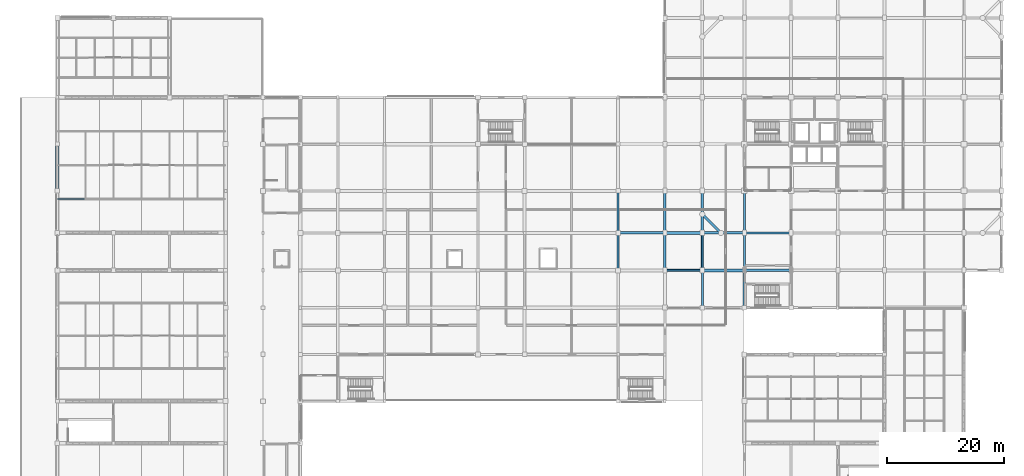
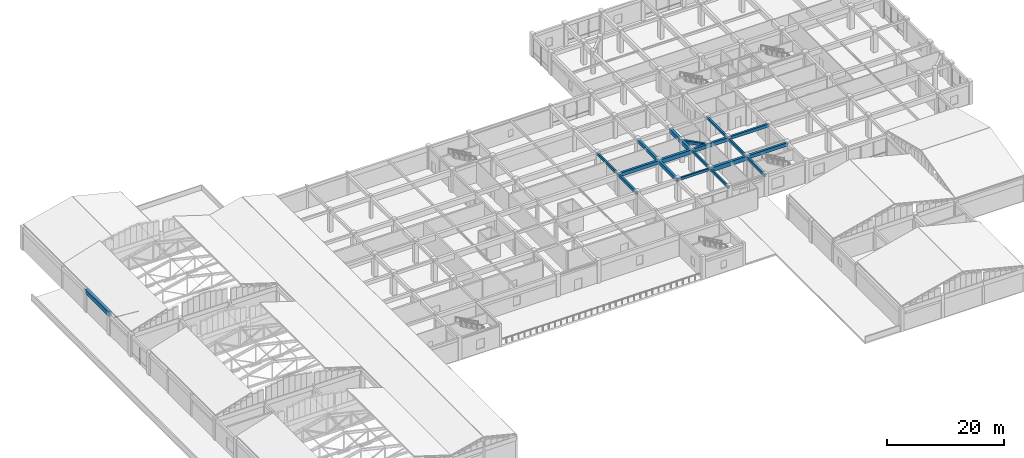
# One storey, part 15 of 61: 19 beams, 1 member.
"""IFC4 building model written with IfcOpenShell, lengths in metres."""

from ifc_helpers import new_model, si_unit, direction, frame, origin, origin_2d, place, context, subcontext, project, spatial, rectangle, hollow_circle, extrude, material, material_profile, profile_set, type_object, element, save


model = new_model("IFC4")

# Units and contexts
model_context = context("Model", 3, precision=1e-05, world=origin(), true_north=direction((0.0, 1.0)))
body_context = subcontext(model_context, "Body", "Model", "MODEL_VIEW")
ifc_project = project(units=[si_unit("LENGTHUNIT", "METRE"), si_unit("AREAUNIT", "SQUARE_METRE"), si_unit("VOLUMEUNIT", "CUBIC_METRE"), si_unit("PLANEANGLEUNIT", "RADIAN"), si_unit("MASSUNIT", "GRAM", prefix="KILO")], contexts=[model_context])

# Site, building, storey
site_placement = place(None, origin())
site = spatial("IfcSite", under=ifc_project, at=site_placement, CompositionType="ELEMENT")
building_placement = place(site_placement, origin())
building = spatial("IfcBuilding", under=site, at=building_placement, Name="Vellmiral Cinema and Media Centre", CompositionType="ELEMENT")
storey_placement = place(building_placement, frame((0.0, 0.0, 10.800048828125)))
storey = spatial("IfcBuildingStorey", under=building, at=storey_placement, Name="L02", CompositionType="ELEMENT", Elevation=10.800048828125)

# Beams
ifc_material_1 = material(Name="Concrete C40/50", Category="concrete")
ifc_material_profile_1 = material_profile(ifc_material_1, rectangle(XDim=0.300048828125, YDim=0.5, at=origin_2d()), Name="RC 300x500")
ifc_profile_set_1 = profile_set([ifc_material_profile_1], Name="Concrete C40/50")
beam_type_1 = type_object("IfcBeamType", Name="BM-RC-300x500", PredefinedType="BEAM", material=ifc_profile_set_1)
beam_1_placement = place(storey_placement, frame((110.39990234375, 65.60009765625, 4.244873046875), z_axis=(1.0, 0.0, 0.0), x_axis=(0.0, 1.0, 0.0)))
element("IfcBeam", 1, at=beam_1_placement, inside=storey, type_object=beam_type_1, Name="Grid Beam L02-X027", PredefinedType="BEAM", context=body_context, shape_type="SweptSolid", body=[
    extrude(rectangle(XDim=0.300048828125, YDim=0.5, at=origin_2d()), origin(), (0.0, 0.0, 1.0), 6.400146484375),
])
beam_2_placement = place(storey_placement, frame((116.800048828125, 65.60009765625, 4.244873046875), z_axis=(0.0, 1.0, 0.0), x_axis=(-1.0, 0.0, 0.0)))
element("IfcBeam", 2, at=beam_2_placement, inside=storey, type_object=beam_type_1, Name="Grid Beam L02-Y148", PredefinedType="BEAM", context=body_context, shape_type="SweptSolid", body=[
    extrude(rectangle(XDim=0.300048828125, YDim=0.5, at=origin_2d()), origin(), (0.0, 0.0, 1.0), 6.39990234375),
])
ifc_material_2 = material(Name="Concrete C40/50", Category="concrete")
ifc_material_profile_2 = material_profile(ifc_material_2, rectangle(XDim=0.35009765625, YDim=0.5, at=origin_2d()), Name="RC 350x500")
ifc_profile_set_2 = profile_set([ifc_material_profile_2], Name="Concrete C40/50")
beam_type_2 = type_object("IfcBeamType", Name="BM-RC-350x500", PredefinedType="BEAM", material=ifc_profile_set_2)
beam_3_placement = place(storey_placement, frame((102.39990234375, 72.0, 4.244873046875), z_axis=(0.0, 1.0, 0.0), x_axis=(-1.0, 0.0, 0.0)))
element("IfcBeam", 3, at=beam_3_placement, inside=storey, type_object=beam_type_2, Name="Grid Beam L02-Y135", PredefinedType="BEAM", context=body_context, shape_type="SweptSolid", body=[
    extrude(rectangle(XDim=0.35009765625, YDim=0.5, at=origin_2d()), origin(), (0.0, 0.0, 1.0), 7.199951171875),
])
beam_4_placement = place(storey_placement, frame((116.800048828125, 59.199951171875, 4.244873046875), z_axis=(0.0, 1.0, 0.0), x_axis=(-1.0, 0.0, 0.0)))
element("IfcBeam", 4, at=beam_4_placement, inside=storey, type_object=beam_type_2, Name="Grid Beam L02-Y147", PredefinedType="BEAM", context=body_context, shape_type="SweptSolid", body=[
    extrude(rectangle(XDim=0.35009765625, YDim=0.5, at=origin_2d()), origin(), (0.0, 0.0, 1.0), 6.400146484375),
])
beam_5_placement = place(storey_placement, frame((124.0, 72.0, 4.244873046875), z_axis=(0.0, 1.0, 0.0), x_axis=(-1.0, 0.0, 0.0)))
element("IfcBeam", 5, at=beam_5_placement, inside=storey, type_object=beam_type_2, Name="Grid Beam L02-Y157", PredefinedType="BEAM", context=body_context, shape_type="SweptSolid", body=[
    extrude(rectangle(XDim=0.35009765625, YDim=0.5, at=origin_2d()), origin(), (0.0, 0.0, 1.0), 7.199951171875),
])
ifc_material_3 = material(Name="Concrete C40/50", Category="concrete")
ifc_material_profile_3 = material_profile(ifc_material_3, rectangle(XDim=0.35009765625, YDim=0.60009765625, at=origin_2d()), Name="RC 350x600")
ifc_profile_set_3 = profile_set([ifc_material_profile_3], Name="Concrete C40/50")
beam_type_3 = type_object("IfcBeamType", Name="BM-RC-350x600", PredefinedType="BEAM", material=ifc_profile_set_3)
for number, where, z_axis, x_axis, name in (
    (6, (102.39990234375, 65.60009765625, 4.195068359375), (0.0, 1.0, 0.0), (-1.0, 0.0, 0.0), "Grid Beam L02-Y134"),
    (7, (124.0, 65.60009765625, 4.195068359375), (0.0, 1.0, 0.0), (-1.0, 0.0, 0.0), "Grid Beam L02-Y156"),
):
    element("IfcBeam", number, at=place(storey_placement, frame(where, z_axis=z_axis, x_axis=x_axis)), inside=storey, type_object=beam_type_3, Name=name, PredefinedType="BEAM", context=body_context, shape_type="SweptSolid", body=[
        extrude(rectangle(XDim=0.35009765625, YDim=0.60009765625, at=origin_2d()), origin(), (0.0, 0.0, 1.0), 6.39990234375),
    ])
ifc_material_4 = material(Name="Concrete C40/50", Category="concrete")
ifc_material_profile_4 = material_profile(ifc_material_4, rectangle(XDim=0.39990234375, YDim=0.60009765625, at=origin_2d()), Name="RC 400x600")
ifc_profile_set_4 = profile_set([ifc_material_profile_4], Name="Concrete C40/50")
beam_type_4 = type_object("IfcBeamType", Name="BM-RC-400x600", PredefinedType="BEAM", material=ifc_profile_set_4)
beam_6_placement = place(storey_placement, frame((124.0, 72.0, 4.195068359375), z_axis=(1.0, 0.0, 0.0), x_axis=(0.0, 1.0, 0.0)))
element("IfcBeam", 8, at=beam_6_placement, inside=storey, type_object=beam_type_4, Name="Grid Beam L02-X042", PredefinedType="BEAM", context=body_context, shape_type="SweptSolid", body=[
    extrude(rectangle(XDim=0.39990234375, YDim=0.60009765625, at=origin_2d()), origin(), (0.0, 0.0, 1.0), 8.0),
])
beam_7_placement = place(storey_placement, frame((124.0, 59.199951171875, 4.195068359375), z_axis=(0.0, 1.0, 0.0), x_axis=(-1.0, 0.0, 0.0)))
element("IfcBeam", 9, at=beam_7_placement, inside=storey, type_object=beam_type_4, Name="Grid Beam L02-Y155", PredefinedType="BEAM", context=body_context, shape_type="SweptSolid", body=[
    extrude(rectangle(XDim=0.39990234375, YDim=0.60009765625, at=origin_2d()), origin(), (0.0, 0.0, 1.0), 6.400146484375),
])
ifc_material_5 = material(Name="Concrete C40/50", Category="concrete")
ifc_material_profile_5 = material_profile(ifc_material_5, rectangle(XDim=0.39990234375, YDim=0.64990234375, at=origin_2d()), Name="RC 400x650")
ifc_profile_set_5 = profile_set([ifc_material_profile_5], Name="Concrete C40/50")
beam_type_5 = type_object("IfcBeamType", Name="BM-RC-400x650", PredefinedType="BEAM", material=ifc_profile_set_5)
beam_8_placement = place(storey_placement, frame((110.39990234375, 72.0, 4.169921875), z_axis=(0.0, 1.0, 0.0), x_axis=(-1.0, 0.0, 0.0)))
element("IfcBeam", 10, at=beam_8_placement, inside=storey, type_object=beam_type_5, Name="Grid Beam L02-Y142", PredefinedType="BEAM", context=body_context, shape_type="SweptSolid", body=[
    extrude(rectangle(XDim=0.39990234375, YDim=0.64990234375, at=origin_2d()), origin(), (0.0, 0.0, 1.0), 7.199951171875),
])
ifc_material_6 = material(Name="Concrete C40/50", Category="concrete")
ifc_material_profile_6 = material_profile(ifc_material_6, rectangle(XDim=0.449951171875, YDim=0.699951171875, at=origin_2d()), Name="RC 450x700")
ifc_profile_set_6 = profile_set([ifc_material_profile_6], Name="Concrete C40/50")
beam_type_6 = type_object("IfcBeamType", Name="BM-RC-450x700", PredefinedType="BEAM", material=ifc_profile_set_6)
beam_9_placement = place(storey_placement, frame((124.0, 65.60009765625, 4.14501953125), z_axis=(1.0, 0.0, 0.0), x_axis=(0.0, 1.0, 0.0)))
element("IfcBeam", 11, at=beam_9_placement, inside=storey, type_object=beam_type_6, Name="Grid Beam L02-X029", PredefinedType="BEAM", context=body_context, shape_type="SweptSolid", body=[
    extrude(rectangle(XDim=0.449951171875, YDim=0.699951171875, at=origin_2d()), origin(), (0.0, 0.0, 1.0), 8.0),
])
ifc_material_7 = material(Name="Concrete C40/50", Category="concrete")
ifc_material_profile_7 = material_profile(ifc_material_7, rectangle(XDim=0.449951171875, YDim=0.75, at=origin_2d()), Name="RC 450x750")
ifc_profile_set_7 = profile_set([ifc_material_profile_7], Name="Concrete C40/50")
beam_type_7 = type_object("IfcBeamType", Name="BM-RC-450x750", PredefinedType="BEAM", material=ifc_profile_set_7)
beam_10_placement = place(storey_placement, frame((102.39990234375, 72.0, 4.119873046875), z_axis=(1.0, 0.0, 0.0), x_axis=(0.0, 1.0, 0.0)))
element("IfcBeam", 12, at=beam_10_placement, inside=storey, type_object=beam_type_7, Name="Grid Beam L02-X039", PredefinedType="BEAM", context=body_context, shape_type="SweptSolid", body=[
    extrude(rectangle(XDim=0.449951171875, YDim=0.75, at=origin_2d()), origin(), (0.0, 0.0, 1.0), 8.0),
])
beam_11_placement = place(storey_placement, frame((116.800048828125, 72.0, 4.119873046875), z_axis=(1.0, 0.0, 0.0), x_axis=(0.0, 1.0, 0.0)))
element("IfcBeam", 13, at=beam_11_placement, inside=storey, type_object=beam_type_7, Name="Grid Beam L02-X041", PredefinedType="BEAM", context=body_context, shape_type="SweptSolid", body=[
    extrude(rectangle(XDim=0.449951171875, YDim=0.75, at=origin_2d()), origin(), (0.0, 0.0, 1.0), 7.199951171875),
])
beam_12_placement = place(storey_placement, frame((110.39990234375, 65.60009765625, 4.119873046875), z_axis=(0.0, 1.0, 0.0), x_axis=(-1.0, 0.0, 0.0)))
element("IfcBeam", 14, at=beam_12_placement, inside=storey, type_object=beam_type_7, Name="Grid Beam L02-Y141", PredefinedType="BEAM", context=body_context, shape_type="SweptSolid", body=[
    extrude(rectangle(XDim=0.449951171875, YDim=0.75, at=origin_2d()), origin(), (0.0, 0.0, 1.0), 6.39990234375),
])
ifc_material_8 = material(Name="Concrete C40/50", Category="concrete")
ifc_material_profile_8 = material_profile(ifc_material_8, rectangle(XDim=0.5, YDim=0.85009765625, at=origin_2d()), Name="RC 500x850")
ifc_profile_set_8 = profile_set([ifc_material_profile_8], Name="Concrete C40/50")
beam_type_8 = type_object("IfcBeamType", Name="BM-RC-500x850", PredefinedType="BEAM", material=ifc_profile_set_8)
beam_13_placement = place(storey_placement, frame((116.800048828125, 65.60009765625, 4.070068359375), z_axis=(1.0, 0.0, 0.0), x_axis=(0.0, 1.0, 0.0)))
element("IfcBeam", 15, at=beam_13_placement, inside=storey, type_object=beam_type_8, Name="Grid Beam L02-X028", PredefinedType="BEAM", context=body_context, shape_type="SweptSolid", body=[
    extrude(rectangle(XDim=0.5, YDim=0.85009765625, at=origin_2d()), origin(), (0.0, 0.0, 1.0), 7.199951171875),
])
beam_14_placement = place(storey_placement, frame((110.39990234375, 72.0, 4.070068359375), z_axis=(1.0, 0.0, 0.0), x_axis=(0.0, 1.0, 0.0)))
element("IfcBeam", 16, at=beam_14_placement, inside=storey, type_object=beam_type_8, Name="Grid Beam L02-X040", PredefinedType="BEAM", context=body_context, shape_type="SweptSolid", body=[
    extrude(rectangle(XDim=0.5, YDim=0.85009765625, at=origin_2d()), origin(), (0.0, 0.0, 1.0), 6.400146484375),
])
beam_15_placement = place(storey_placement, frame((116.800048828125, 72.0, 4.070068359375), z_axis=(0.0, 1.0, 0.0), x_axis=(-1.0, 0.0, 0.0)))
element("IfcBeam", 17, at=beam_15_placement, inside=storey, type_object=beam_type_8, Name="Grid Beam L02-Y149", PredefinedType="BEAM", context=body_context, shape_type="SweptSolid", body=[
    extrude(rectangle(XDim=0.5, YDim=0.85009765625, at=origin_2d()), origin(), (0.0, 0.0, 1.0), 7.199951171875),
])
ifc_material_9 = material(Name="Concrete C40/50", Category="concrete")
ifc_material_profile_9 = material_profile(ifc_material_9, rectangle(XDim=0.60009765625, YDim=0.89990234375, at=origin_2d()), Name="RC 600x900")
ifc_profile_set_9 = profile_set([ifc_material_profile_9], Name="Concrete C40/50")
beam_type_9 = type_object("IfcBeamType", Name="RING-BM-600x900", PredefinedType="BEAM", material=ifc_profile_set_9)
beam_16_placement = place(storey_placement, frame((6.39990234375, 79.199951171875, 4.349853515625), z_axis=(0.0, 1.0, 0.0), x_axis=(-1.0, 0.0, 0.0)))
element("IfcBeam", 18, at=beam_16_placement, inside=storey, type_object=beam_type_9, Name="Cinema Screen 3 Ring Beam 08", PredefinedType="BEAM", context=body_context, shape_type="SweptSolid", body=[
    extrude(rectangle(XDim=0.60009765625, YDim=0.89990234375, at=origin_2d()), origin(), (0.0, 0.0, 1.0), 8.0),
])
ifc_material_10 = material(Name="Concrete C40/50", Category="concrete")
ifc_material_profile_10 = material_profile(ifc_material_10, rectangle(XDim=0.39990234375, YDim=0.60009765625, at=origin_2d()), Name="RC 400x600")
ifc_profile_set_10 = profile_set([ifc_material_profile_10], Name="Concrete C40/50")
beam_type_10 = type_object("IfcBeamType", Name="SPD-RC-400x600", PredefinedType="SPANDREL", material=ifc_profile_set_10)
beam_17_placement = place(storey_placement, frame((116.800048828125, 75.199951171875, 4.195068359375), z_axis=(0.707106781187, -0.707106781187, 0.0), x_axis=(0.707106781187, 0.707106781187, 0.0)))
element("IfcBeam", 19, at=beam_17_placement, inside=storey, type_object=beam_type_10, Name="Xamfra Chamfer Spandrel Beam L02-198", PredefinedType="SPANDREL", context=body_context, shape_type="SweptSolid", body=[
    extrude(rectangle(XDim=0.39990234375, YDim=0.60009765625, at=origin_2d()), origin(), (0.0, 0.0, 1.0), 4.525390625),
])

# Member
ifc_material_11 = material(Name="Steel S355", Category="steel")
ifc_material_profile_11 = material_profile(ifc_material_11, hollow_circle(Radius=0.109619140625, WallThickness=0.010009765625, at=origin_2d()), Name="CHS 219.1x10.0")
ifc_profile_set_11 = profile_set([ifc_material_profile_11], Name="Steel S355")
member_type = type_object("IfcMemberType", Name="TBR-CHS219", PredefinedType="BRACE", material=ifc_profile_set_11)
member_placement = place(storey_placement, frame((6.39990234375, 77.800048828125, 4.52001953125), z_axis=(0.997040448581, 0.0, -0.076878761001), x_axis=(0.0, 1.0, 0.0)))
element("IfcMember", 20, at=member_placement, inside=storey, type_object=member_type, Name="Roof Truss TR-03.1 Diagonal 1", PredefinedType="BRACE", context=body_context, shape_type="SweptSolid", body=[
    extrude(hollow_circle(Radius=0.109619140625, WallThickness=0.010009765625, at=origin_2d()), origin(), (0.0, 0.0, 1.0), 4.814208984375),
])

save(model, "model.ifc")
